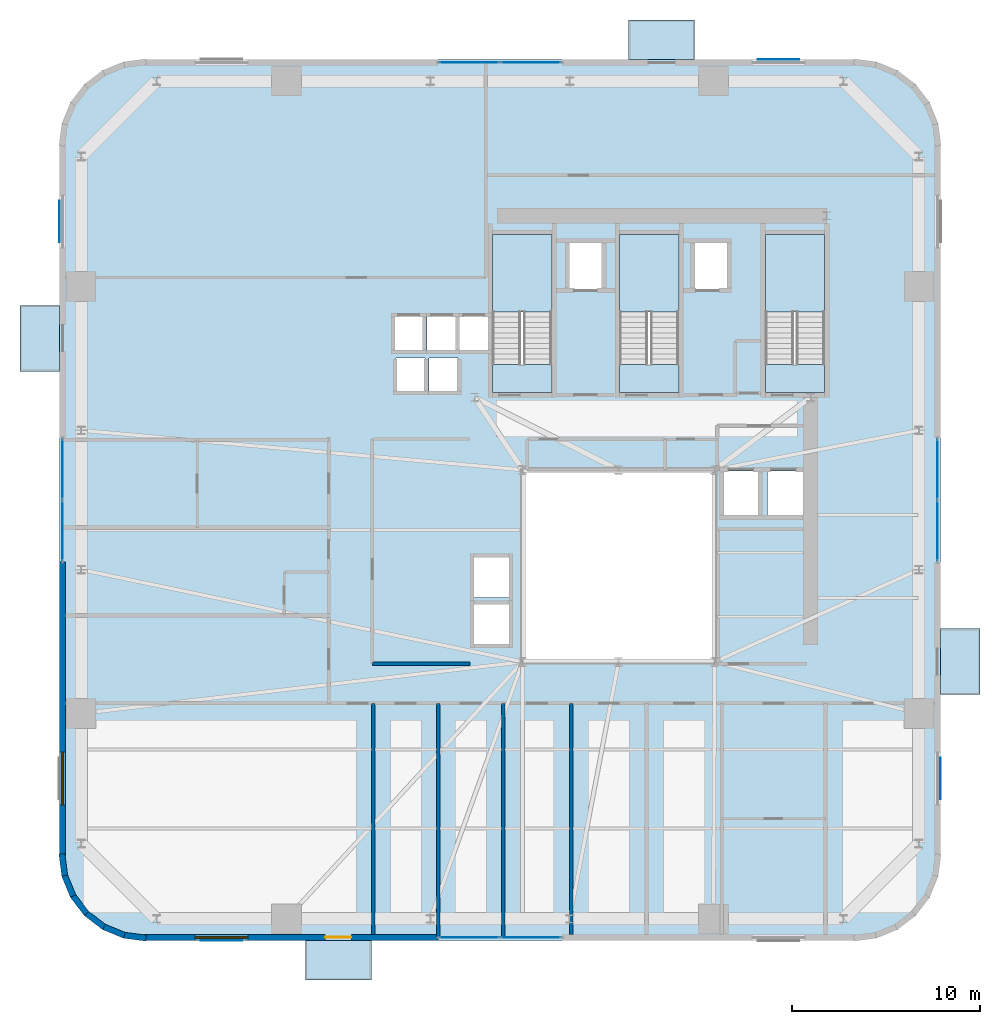
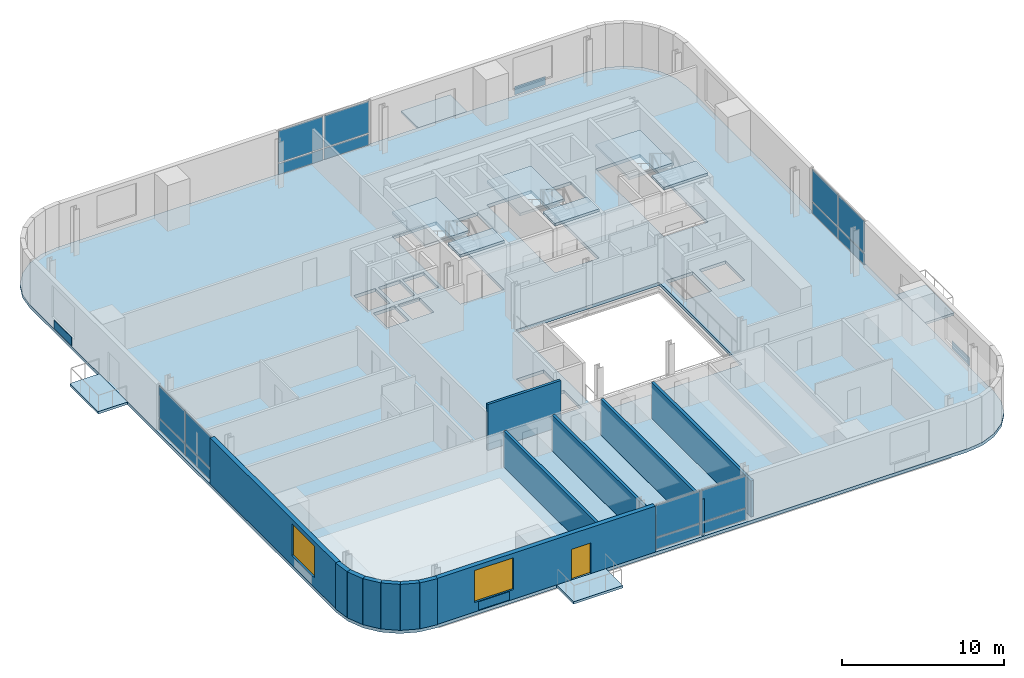
# One storey, part 5 of 14: 20 plates, 13 walls, 11 slabs, 2 windows, 1 door, 3 openings, 7 elements without a shape of their own.
"""IFC4 building model written with IfcOpenShell, lengths in metres."""

from ifc_helpers import new_model, si_unit, direction, frame, frame_2d, origin, origin_2d, place, context, subcontext, project, spatial, polyline, rectangle, outline, extrude, source, transform, mapped, material, layer, layer_set, type_object, element, fill, aggregate, save


model = new_model("IFC4")

# Units and contexts
model_context = context("Model", 3, precision=1e-05, world=origin(), true_north=direction((0.0, 1.0)))
body_context = subcontext(model_context, "Body", "Model", "MODEL_VIEW")
ifc_project = project(units=[si_unit("LENGTHUNIT", "METRE"), si_unit("AREAUNIT", "SQUARE_METRE"), si_unit("VOLUMEUNIT", "CUBIC_METRE"), si_unit("PLANEANGLEUNIT", "RADIAN"), si_unit("MASSUNIT", "GRAM", prefix="KILO")], contexts=[model_context])

# Site, building, storey
site_placement = place(None, origin())
site = spatial("IfcSite", under=ifc_project, at=site_placement, CompositionType="ELEMENT")
building_placement = place(site_placement, origin())
building = spatial("IfcBuilding", under=site, at=building_placement, Name="Vardaveli Station Tower", CompositionType="ELEMENT")
storey_placement = place(building_placement, frame((0.0, 0.0, 140.89990234375)))
storey = spatial("IfcBuildingStorey", under=building, at=storey_placement, Name="L36", CompositionType="ELEMENT", Elevation=140.89990234375)

# Stair, slabs
ifc_material_1 = material(Name="Concrete C40/50", Category="concrete")
stair_type = type_object("IfcStairType", Name="STR-CORE-1500", PredefinedType="HALF_TURN_STAIR", material=ifc_material_1)
stair_1_placement = place(storey_placement, origin())
stair_1 = element("IfcStair", 1, at=stair_1_placement, inside=storey, type_object=stair_type, Name="L36 ST-1", PredefinedType="HALF_TURN_STAIR")
ifc_layer_1 = layer(ifc_material_1, 0.199951171875, Name="Concrete C40/50")
ifc_layer_set_1 = layer_set([ifc_layer_1], Name="Concrete C40/50")
slab_type_1 = type_object("IfcSlabType", Name="SLB-LAND-200", PredefinedType="LANDING", material=ifc_layer_set_1)
slab_1_placement = place(storey_placement, frame((0.0, 0.0, 1.650146484375)))
slab_1 = element("IfcSlab", 2, at=slab_1_placement, type_object=slab_type_1, Name="ST-1 landing 1", PredefinedType="LANDING", context=body_context, shape_type="SweptSolid", body=[
    extrude(outline(polyline([(32.75, 35.199951171875), (32.75, 39.300048828125), (29.60009765625, 39.300048828125), (29.60009765625, 35.199951171875), (32.75, 35.199951171875)])), origin(), (0.0, 0.0, 1.0), 0.199951171875),
])
slab_2_placement = place(storey_placement, frame((0.0, 0.0, 3.5)))
slab_2 = element("IfcSlab", 3, at=slab_2_placement, type_object=slab_type_1, Name="ST-1 landing 2", PredefinedType="LANDING", context=body_context, shape_type="SweptSolid", body=[
    extrude(outline(polyline([(32.75, 30.89990234375), (32.75, 32.39990234375), (29.60009765625, 32.39990234375), (29.60009765625, 30.89990234375), (32.75, 30.89990234375)])), origin(), (0.0, 0.0, 1.0), 0.2001953125),
])
aggregate(stair_1, [slab_1, slab_2])

stair_2_placement = place(storey_placement, origin())
stair_2 = element("IfcStair", 4, at=stair_2_placement, inside=storey, type_object=stair_type, Name="L36 ST-2", PredefinedType="HALF_TURN_STAIR")
slab_3_placement = place(storey_placement, frame((0.0, 0.0, 1.650146484375)))
slab_3 = element("IfcSlab", 5, at=slab_3_placement, type_object=slab_type_1, Name="ST-2 landing 1", PredefinedType="LANDING", context=body_context, shape_type="SweptSolid", body=[
    extrude(outline(polyline([(39.5, 35.199951171875), (39.5, 39.300048828125), (36.35009765625, 39.300048828125), (36.35009765625, 35.199951171875), (39.5, 35.199951171875)])), origin(), (0.0, 0.0, 1.0), 0.199951171875),
])
slab_4_placement = place(storey_placement, frame((0.0, 0.0, 3.5)))
slab_4 = element("IfcSlab", 6, at=slab_4_placement, type_object=slab_type_1, Name="ST-2 landing 2", PredefinedType="LANDING", context=body_context, shape_type="SweptSolid", body=[
    extrude(outline(polyline([(39.5, 30.89990234375), (39.5, 32.39990234375), (36.35009765625, 32.39990234375), (36.35009765625, 30.89990234375), (39.5, 30.89990234375)])), origin(), (0.0, 0.0, 1.0), 0.2001953125),
])
aggregate(stair_2, [slab_3, slab_4])

stair_3_placement = place(storey_placement, origin())
stair_3 = element("IfcStair", 7, at=stair_3_placement, inside=storey, type_object=stair_type, Name="L36 ST-3", PredefinedType="HALF_TURN_STAIR")
slab_5_placement = place(storey_placement, frame((0.0, 0.0, 1.650146484375)))
slab_5 = element("IfcSlab", 8, at=slab_5_placement, type_object=slab_type_1, Name="ST-3 landing 1", PredefinedType="LANDING", context=body_context, shape_type="SweptSolid", body=[
    extrude(outline(polyline([(47.25, 35.199951171875), (47.25, 39.300048828125), (44.10009765625, 39.300048828125), (44.10009765625, 35.199951171875), (47.25, 35.199951171875)])), origin(), (0.0, 0.0, 1.0), 0.199951171875),
])
slab_6_placement = place(storey_placement, frame((0.0, 0.0, 3.5)))
slab_6 = element("IfcSlab", 9, at=slab_6_placement, type_object=slab_type_1, Name="ST-3 landing 2", PredefinedType="LANDING", context=body_context, shape_type="SweptSolid", body=[
    extrude(outline(polyline([(47.25, 30.89990234375), (47.25, 32.39990234375), (44.10009765625, 32.39990234375), (44.10009765625, 30.89990234375), (47.25, 30.89990234375)])), origin(), (0.0, 0.0, 1.0), 0.2001953125),
])
aggregate(stair_3, [slab_5, slab_6])

# Slabs
ifc_material_2 = material(Name="Precast concrete C45/55", Category="concrete")
ifc_layer_2 = layer(ifc_material_2, 0.179931640625, Name="Precast concrete C45/55")
ifc_layer_set_2 = layer_set([ifc_layer_2], Name="Precast concrete C45/55")
slab_type_2 = type_object("IfcSlabType", Name="SLB-LOGGIA-180", PredefinedType="FLOOR", material=ifc_layer_set_2)
slab_7_placement = place(storey_placement, frame((0.0, 0.0, -0.179931640625)))
element("IfcSlab", 10, at=slab_7_placement, inside=storey, type_object=slab_type_2, Name="LOG-L36-S", PredefinedType="FLOOR", context=body_context, shape_type="SweptSolid", body=[
    extrude(outline(polyline([(19.660400390625, -0.300048828125), (23.160400390625, -0.300048828125), (23.160400390625, 1.800048828125), (19.660400390625, 1.800048828125), (19.660400390625, -0.300048828125)])), origin(), (0.0, 0.0, 1.0), 0.179931640625),
])
slab_8_placement = place(storey_placement, frame((0.0, 0.0, -0.179931640625)))
element("IfcSlab", 11, at=slab_8_placement, inside=storey, type_object=slab_type_2, Name="LOG-L36-N", PredefinedType="FLOOR", context=body_context, shape_type="SweptSolid", body=[
    extrude(outline(polyline([(36.839599609375, 48.60009765625), (40.339599609375, 48.60009765625), (40.339599609375, 50.699951171875), (36.839599609375, 50.699951171875), (36.839599609375, 48.60009765625)])), origin(), (0.0, 0.0, 1.0), 0.179931640625),
])
slab_9_placement = place(storey_placement, frame((0.0, 0.0, -0.179931640625)))
element("IfcSlab", 12, at=slab_9_placement, inside=storey, type_object=slab_type_2, Name="LOG-L36-W", PredefinedType="FLOOR", context=body_context, shape_type="SweptSolid", body=[
    extrude(outline(polyline([(4.5, 32.03955078125), (6.60009765625, 32.03955078125), (6.60009765625, 35.53955078125), (4.5, 35.53955078125), (4.5, 32.03955078125)])), origin(), (0.0, 0.0, 1.0), 0.179931640625),
])
slab_10_placement = place(storey_placement, frame((0.0, 0.0, -0.179931640625)))
element("IfcSlab", 13, at=slab_10_placement, inside=storey, type_object=slab_type_2, Name="LOG-L36-E", PredefinedType="FLOOR", context=body_context, shape_type="SweptSolid", body=[
    extrude(outline(polyline([(53.39990234375, 14.8603515625), (55.5, 14.8603515625), (55.5, 18.3603515625), (53.39990234375, 18.3603515625), (53.39990234375, 14.8603515625)])), origin(), (0.0, 0.0, 1.0), 0.179931640625),
])
ifc_layer_3 = layer(ifc_material_1, 0.239990234375, Name="Concrete C40/50")
ifc_layer_set_3 = layer_set([ifc_layer_3], Name="Concrete C40/50")
slab_type_3 = type_object("IfcSlabType", Name="SLB-TOW-240", PredefinedType="FLOOR", material=ifc_layer_set_3)
slab_11_placement = place(storey_placement, frame((0.0, 0.0, -0.239990234375)))
element("IfcSlab", 14, at=slab_11_placement, inside=storey, type_object=slab_type_3, Name="SLB-L36-MAIN", PredefinedType="FLOOR", context=body_context, shape_type="SweptSolid", body=[
    extrude(outline(polyline([(6.60009765625, 6.300048828125), (6.75341796875, 5.13525390625), (7.202880859375, 4.050048828125), (7.91796875, 3.117919921875), (8.85009765625, 2.40283203125), (9.935302734375, 1.953369140625), (11.10009765625, 1.800048828125), (48.89990234375, 1.800048828125), (50.064697265625, 1.953369140625), (51.14990234375, 2.40283203125), (52.08203125, 3.117919921875), (52.797119140625, 4.050048828125), (53.24658203125, 5.13525390625), (53.39990234375, 6.300048828125), (53.39990234375, 44.10009765625), (53.24658203125, 45.2646484375), (52.797119140625, 46.35009765625), (52.08203125, 47.281982421875), (51.14990234375, 47.9970703125), (50.064697265625, 48.44677734375), (48.89990234375, 48.60009765625), (11.10009765625, 48.60009765625), (9.935302734375, 48.44677734375), (8.85009765625, 47.9970703125), (7.91796875, 47.281982421875), (7.202880859375, 46.35009765625), (6.75341796875, 45.2646484375), (6.60009765625, 44.10009765625), (6.60009765625, 6.300048828125)]), holes=[polyline([(31.199951171875, 16.60009765625), (41.39990234375, 16.60009765625), (41.39990234375, 26.800048828125), (31.199951171875, 26.800048828125), (31.199951171875, 16.60009765625)]), polyline([(32.75, 30.89990234375), (32.75, 39.300048828125), (29.60009765625, 39.300048828125), (29.60009765625, 30.89990234375), (32.75, 30.89990234375)]), polyline([(39.5, 30.89990234375), (39.5, 39.300048828125), (36.35009765625, 39.300048828125), (36.35009765625, 30.89990234375), (39.5, 30.89990234375)]), polyline([(47.25, 30.89990234375), (47.25, 39.300048828125), (44.10009765625, 39.300048828125), (44.10009765625, 30.89990234375), (47.25, 30.89990234375)]), polyline([(24.385009765625, 33.135009765625), (25.9150390625, 33.135009765625), (25.9150390625, 34.965087890625), (24.385009765625, 34.965087890625), (24.385009765625, 33.135009765625)]), polyline([(26.135009765625, 33.135009765625), (27.6650390625, 33.135009765625), (27.6650390625, 34.965087890625), (26.135009765625, 34.965087890625), (26.135009765625, 33.135009765625)]), polyline([(27.8349609375, 33.135009765625), (29.364990234375, 33.135009765625), (29.364990234375, 34.965087890625), (27.8349609375, 34.965087890625), (27.8349609375, 33.135009765625)]), polyline([(33.659912109375, 36.409912109375), (35.43994140625, 36.409912109375), (35.43994140625, 38.889892578125), (33.659912109375, 38.889892578125), (33.659912109375, 36.409912109375)]), polyline([(40.31005859375, 36.409912109375), (42.090087890625, 36.409912109375), (42.090087890625, 38.889892578125), (40.31005859375, 38.889892578125), (40.31005859375, 36.409912109375)]), polyline([(24.485107421875, 30.9599609375), (26.014892578125, 30.9599609375), (26.014892578125, 32.739990234375), (24.485107421875, 32.739990234375), (24.485107421875, 30.9599609375)]), polyline([(26.235107421875, 30.9599609375), (27.764892578125, 30.9599609375), (27.764892578125, 32.739990234375), (26.235107421875, 32.739990234375), (26.235107421875, 30.9599609375)]), polyline([(28.5849609375, 17.510009765625), (30.514892578125, 17.510009765625), (30.514892578125, 19.68994140625), (28.5849609375, 19.68994140625), (28.5849609375, 17.510009765625)]), polyline([(28.5849609375, 20.010009765625), (30.514892578125, 20.010009765625), (30.514892578125, 22.18994140625), (28.5849609375, 22.18994140625), (28.5849609375, 20.010009765625)]), polyline([(41.860107421875, 24.360107421875), (43.739990234375, 24.360107421875), (43.739990234375, 26.739990234375), (41.860107421875, 26.739990234375), (41.860107421875, 24.360107421875)]), polyline([(44.2099609375, 24.360107421875), (46.090087890625, 24.360107421875), (46.090087890625, 26.739990234375), (44.2099609375, 26.739990234375), (44.2099609375, 24.360107421875)])]), origin(), (0.0, 0.0, 1.0), 0.239990234375),
])

# Curtain wall, plates
ifc_material_3 = material(Name="Travertine stone and solar-control glass", Category="masonry")
curtain_wall_type = type_object("IfcCurtainWallType", Name="CW-SYS-2", PredefinedType="NOTDEFINED", material=ifc_material_3)
curtain_wall_1_placement = place(storey_placement, origin())
curtain_wall_1 = element("IfcCurtainWall", 15, at=curtain_wall_1_placement, inside=storey, type_object=curtain_wall_type, Name="CW-L36-S", PredefinedType="NOTDEFINED")
ifc_material_4 = material(Name="Double-glazed low-E solar-control glass", Category="glass")
ifc_layer_4 = layer(ifc_material_4, 0.035888671875, Name="Double-glazed low-E solar-control glass")
ifc_layer_set_4 = layer_set([ifc_layer_4], Name="Double-glazed low-E solar-control glass")
plate_type_1 = type_object("IfcPlateType", Name="CW-SYS-2-PAN", PredefinedType="CURTAIN_PANEL", material=ifc_layer_set_4)
shared_shape_1 = source(origin(), body_context, "Body", "SweptSolid", [
    extrude(rectangle(XDim=3.172607421875, YDim=0.035888671875, at=origin_2d()), origin(), (0.0, 0.0, 1.0), 0.822509765625),
])
plate_1_placement = place(storey_placement, frame((28.371337890625, 1.9599609375, 0.0849609375), z_axis=(0.0, 0.0, 1.0), x_axis=(1.0, 0.0, 0.0)))
plate_1 = element("IfcPlate", 16, at=plate_1_placement, type_object=plate_type_1, Name="CW-2 panel 1.1", PredefinedType="CURTAIN_PANEL", context=body_context, shape_type="MappedRepresentation", body=[
    mapped(shared_shape_1, transform((0.0, 0.0, 0.0), scale=1.0)),
])
plate_2_placement = place(storey_placement, frame((31.628662109375, 1.9599609375, 0.0849609375), z_axis=(0.0, 0.0, 1.0), x_axis=(1.0, 0.0, 0.0)))
plate_2 = element("IfcPlate", 17, at=plate_2_placement, type_object=plate_type_1, Name="CW-2 panel 2.1", PredefinedType="CURTAIN_PANEL", context=body_context, shape_type="MappedRepresentation", body=[
    mapped(shared_shape_1, transform((0.0, 0.0, 0.0), scale=1.0)),
])

curtain_wall_2_placement = place(storey_placement, origin())
curtain_wall_2 = element("IfcCurtainWall", 18, at=curtain_wall_2_placement, inside=storey, type_object=curtain_wall_type, Name="CW-L36-N", PredefinedType="NOTDEFINED")
plate_3_placement = place(storey_placement, frame((31.628662109375, 48.43994140625, 0.0849609375), z_axis=(0.0, 0.0, 1.0), x_axis=(-1.0, 0.0, 0.0)))
plate_3 = element("IfcPlate", 19, at=plate_3_placement, type_object=plate_type_1, Name="CW-2 panel 1.1", PredefinedType="CURTAIN_PANEL", context=body_context, shape_type="MappedRepresentation", body=[
    mapped(shared_shape_1, transform((0.0, 0.0, 0.0), scale=1.0)),
])
plate_4_placement = place(storey_placement, frame((28.371337890625, 48.43994140625, 0.0849609375), z_axis=(0.0, 0.0, 1.0), x_axis=(-1.0, 0.0, 0.0)))
plate_4 = element("IfcPlate", 20, at=plate_4_placement, type_object=plate_type_1, Name="CW-2 panel 2.1", PredefinedType="CURTAIN_PANEL", context=body_context, shape_type="MappedRepresentation", body=[
    mapped(shared_shape_1, transform((0.0, 0.0, 0.0), scale=1.0)),
])

curtain_wall_3_placement = place(storey_placement, origin())
curtain_wall_3 = element("IfcCurtainWall", 21, at=curtain_wall_3_placement, inside=storey, type_object=curtain_wall_type, Name="CW-L36-W", PredefinedType="NOTDEFINED")
plate_5_placement = place(storey_placement, frame((6.760009765625, 26.828857421875, 0.0849609375), z_axis=(0.0, 0.0, 1.0), x_axis=(0.0, -1.0, 0.0)))
plate_5 = element("IfcPlate", 22, at=plate_5_placement, type_object=plate_type_1, Name="CW-2 panel 1.1", PredefinedType="CURTAIN_PANEL", context=body_context, shape_type="MappedRepresentation", body=[
    mapped(shared_shape_1, transform((0.0, 0.0, 0.0), scale=1.0)),
])
plate_6_placement = place(storey_placement, frame((6.760009765625, 23.5712890625, 0.0849609375), z_axis=(0.0, 0.0, 1.0), x_axis=(0.0, -1.0, 0.0)))
plate_6 = element("IfcPlate", 23, at=plate_6_placement, type_object=plate_type_1, Name="CW-2 panel 2.1", PredefinedType="CURTAIN_PANEL", context=body_context, shape_type="MappedRepresentation", body=[
    mapped(shared_shape_1, transform((0.0, 0.0, 0.0), scale=1.0)),
])

curtain_wall_4_placement = place(storey_placement, origin())
curtain_wall_4 = element("IfcCurtainWall", 24, at=curtain_wall_4_placement, inside=storey, type_object=curtain_wall_type, Name="CW-L36-E", PredefinedType="NOTDEFINED")
plate_7_placement = place(storey_placement, frame((53.239990234375, 23.5712890625, 0.0849609375), z_axis=(0.0, 0.0, 1.0), x_axis=(0.0, 1.0, 0.0)))
plate_7 = element("IfcPlate", 25, at=plate_7_placement, type_object=plate_type_1, Name="CW-2 panel 1.1", PredefinedType="CURTAIN_PANEL", context=body_context, shape_type="MappedRepresentation", body=[
    mapped(shared_shape_1, transform((0.0, 0.0, 0.0), scale=1.0)),
])
plate_8_placement = place(storey_placement, frame((53.239990234375, 26.828857421875, 0.0849609375), z_axis=(0.0, 0.0, 1.0), x_axis=(0.0, 1.0, 0.0)))
plate_8 = element("IfcPlate", 26, at=plate_8_placement, type_object=plate_type_1, Name="CW-2 panel 2.1", PredefinedType="CURTAIN_PANEL", context=body_context, shape_type="MappedRepresentation", body=[
    mapped(shared_shape_1, transform((0.0, 0.0, 0.0), scale=1.0)),
])

# Plates
ifc_material_5 = material(Name="Honed Caucasian travertine stone", Category="masonry")
ifc_layer_5 = layer(ifc_material_5, 0.034912109375, Name="Honed Caucasian travertine stone")
ifc_layer_set_5 = layer_set([ifc_layer_5], Name="Honed Caucasian travertine stone")
plate_type_2 = type_object("IfcPlateType", Name="PLT-TRAV-35", PredefinedType="SHEET", material=ifc_layer_set_5)
shared_shape_2 = source(origin(), body_context, "Body", "SweptSolid", [
    extrude(rectangle(XDim=2.199951171875, YDim=0.034912109375, at=origin_2d()), origin(), (0.0, 0.0, 1.0), 0.6201171875),
])
for number, where, z_axis, x_axis, name in (
    (27, (15.205078125, 1.79052734375, 0.070068359375), (0.0, 0.0, 1.0), (1.0, 0.0, 0.0), "PLT-TR-L36-S"),
    (28, (44.794921875, 48.609619140625, 0.070068359375), (0.0, 0.0, 1.0), (1.0, 0.0, 0.0), "PLT-TR-L36-N"),
    (29, (6.590576171875, 39.9951171875, 0.070068359375), (0.0, 0.0, 1.0), (0.0, 1.0, 0.0), "PLT-TR-L36-W"),
    (30, (53.409423828125, 10.405029296875, 0.070068359375), (0.0, 0.0, 1.0), (0.0, 1.0, 0.0), "PLT-TR-L36-E"),
):
    element("IfcPlate", number, at=place(storey_placement, frame(where, z_axis=z_axis, x_axis=x_axis)), inside=storey, type_object=plate_type_2, Name=name, PredefinedType="SHEET", context=body_context, shape_type="MappedRepresentation", body=[
        mapped(shared_shape_2, transform((0.0, 0.0, 0.0), scale=1.0)),
    ])

# Plate
shared_shape_3 = source(origin(), body_context, "Body", "SweptSolid", [
    extrude(rectangle(XDim=3.172607421875, YDim=0.035888671875, at=origin_2d()), origin(), (0.0, 0.0, 1.0), 2.382568359375),
])
plate_9_placement = place(storey_placement, frame((28.371337890625, 1.9599609375, 0.99267578125), z_axis=(0.0, 0.0, 1.0), x_axis=(1.0, 0.0, 0.0)))
plate_9 = element("IfcPlate", 31, at=plate_9_placement, type_object=plate_type_1, Name="CW-2 panel 1.2", PredefinedType="CURTAIN_PANEL", context=body_context, shape_type="MappedRepresentation", body=[
    mapped(shared_shape_3, transform((0.0, 0.0, 0.0), scale=1.0)),
])

plate_10_placement = place(storey_placement, frame((31.628662109375, 1.9599609375, 0.99267578125), z_axis=(0.0, 0.0, 1.0), x_axis=(1.0, 0.0, 0.0)))
plate_10 = element("IfcPlate", 32, at=plate_10_placement, type_object=plate_type_1, Name="CW-2 panel 2.2", PredefinedType="CURTAIN_PANEL", context=body_context, shape_type="MappedRepresentation", body=[
    mapped(shared_shape_3, transform((0.0, 0.0, 0.0), scale=1.0)),
])

aggregate(curtain_wall_1, [plate_1, plate_9, plate_2, plate_10])

plate_11_placement = place(storey_placement, frame((31.628662109375, 48.43994140625, 0.99267578125), z_axis=(0.0, 0.0, 1.0), x_axis=(-1.0, 0.0, 0.0)))
plate_11 = element("IfcPlate", 33, at=plate_11_placement, type_object=plate_type_1, Name="CW-2 panel 1.2", PredefinedType="CURTAIN_PANEL", context=body_context, shape_type="MappedRepresentation", body=[
    mapped(shared_shape_3, transform((0.0, 0.0, 0.0), scale=1.0)),
])

plate_12_placement = place(storey_placement, frame((28.371337890625, 48.43994140625, 0.99267578125), z_axis=(0.0, 0.0, 1.0), x_axis=(-1.0, 0.0, 0.0)))
plate_12 = element("IfcPlate", 34, at=plate_12_placement, type_object=plate_type_1, Name="CW-2 panel 2.2", PredefinedType="CURTAIN_PANEL", context=body_context, shape_type="MappedRepresentation", body=[
    mapped(shared_shape_3, transform((0.0, 0.0, 0.0), scale=1.0)),
])

aggregate(curtain_wall_2, [plate_3, plate_11, plate_4, plate_12])

plate_13_placement = place(storey_placement, frame((6.760009765625, 26.828857421875, 0.99267578125), z_axis=(0.0, 0.0, 1.0), x_axis=(0.0, -1.0, 0.0)))
plate_13 = element("IfcPlate", 35, at=plate_13_placement, type_object=plate_type_1, Name="CW-2 panel 1.2", PredefinedType="CURTAIN_PANEL", context=body_context, shape_type="MappedRepresentation", body=[
    mapped(shared_shape_3, transform((0.0, 0.0, 0.0), scale=1.0)),
])

plate_14_placement = place(storey_placement, frame((6.760009765625, 23.5712890625, 0.99267578125), z_axis=(0.0, 0.0, 1.0), x_axis=(0.0, -1.0, 0.0)))
plate_14 = element("IfcPlate", 36, at=plate_14_placement, type_object=plate_type_1, Name="CW-2 panel 2.2", PredefinedType="CURTAIN_PANEL", context=body_context, shape_type="MappedRepresentation", body=[
    mapped(shared_shape_3, transform((0.0, 0.0, 0.0), scale=1.0)),
])

aggregate(curtain_wall_3, [plate_5, plate_13, plate_6, plate_14])

plate_15_placement = place(storey_placement, frame((53.239990234375, 23.5712890625, 0.99267578125), z_axis=(0.0, 0.0, 1.0), x_axis=(0.0, 1.0, 0.0)))
plate_15 = element("IfcPlate", 37, at=plate_15_placement, type_object=plate_type_1, Name="CW-2 panel 1.2", PredefinedType="CURTAIN_PANEL", context=body_context, shape_type="MappedRepresentation", body=[
    mapped(shared_shape_3, transform((0.0, 0.0, 0.0), scale=1.0)),
])

plate_16_placement = place(storey_placement, frame((53.239990234375, 26.828857421875, 0.99267578125), z_axis=(0.0, 0.0, 1.0), x_axis=(0.0, 1.0, 0.0)))
plate_16 = element("IfcPlate", 38, at=plate_16_placement, type_object=plate_type_1, Name="CW-2 panel 2.2", PredefinedType="CURTAIN_PANEL", context=body_context, shape_type="MappedRepresentation", body=[
    mapped(shared_shape_3, transform((0.0, 0.0, 0.0), scale=1.0)),
])

aggregate(curtain_wall_4, [plate_7, plate_15, plate_8, plate_16])

# Wall, openings, door, window
ifc_layer_6 = layer(ifc_material_2, 0.320068359375, Name="Precast concrete C45/55")
ifc_layer_set_6 = layer_set([ifc_layer_6], Name="Precast concrete C45/55")
wall_type_1 = type_object("IfcWallType", Name="WAL-EXT-STONE-320", PredefinedType="SOLIDWALL", material=ifc_layer_set_6)
shared_shape_4 = source(origin(), body_context, "Body", "SweptSolid", [
    extrude(rectangle(XDim=15.599853515625, YDim=0.320068359375, at=frame_2d((7.7998046875, 0.0))), origin(), (0.0, 0.0, 1.0), 3.460205078125),
])
wall_1_placement = place(storey_placement, frame((11.10009765625, 1.9599609375, 0.0), z_axis=(0.0, 0.0, 1.0), x_axis=(1.0, 0.0, 0.0)))
wall_1 = element("IfcWall", 39, at=wall_1_placement, inside=storey, type_object=wall_type_1, Name="EW-L36-S1", PredefinedType="SOLIDWALL", context=body_context, shape_type="MappedRepresentation", body=[
    mapped(shared_shape_4, transform((0.0, 0.0, 0.0), scale=1.0)),
])
shared_shape_5 = source(origin(), body_context, "Body", "SweptSolid", [
    extrude(rectangle(XDim=1.39990234375, YDim=2.300048828125, at=frame_2d((0.699951171875, 1.14990234375))), frame((0.0, 0.169921875, 0.0), z_axis=(0.0, -1.0, 0.0), x_axis=(1.0, 0.0, 0.0)), (0.0, 0.0, 1.0), 0.340087890625),
])
opening_1_placement = place(wall_1_placement, frame((9.6103515625, 0.0, 0.0)))
opening_1 = element("IfcOpeningElement", 40, at=opening_1_placement, cuts=wall_1, Name="Opening D-09", PredefinedType="OPENING", context=body_context, shape_type="MappedRepresentation", body=[
    mapped(shared_shape_5, transform((0.0, 0.0, 0.0), scale=1.0)),
])
shared_shape_6 = source(origin(), body_context, "Body", "SweptSolid", [
    extrude(rectangle(XDim=2.800048828125, YDim=2.39990234375, at=frame_2d((1.39990234375, 1.199951171875))), frame((0.0, 0.169921875, 0.0), z_axis=(0.0, -1.0, 0.0), x_axis=(1.0, 0.0, 0.0)), (0.0, 0.0, 1.0), 0.340087890625),
])
opening_2_placement = place(wall_1_placement, frame((2.705078125, 0.0, 0.719970703125)))
opening_2 = element("IfcOpeningElement", 41, at=opening_2_placement, cuts=wall_1, Name="Opening W-04", PredefinedType="OPENING", context=body_context, shape_type="MappedRepresentation", body=[
    mapped(shared_shape_6, transform((0.0, 0.0, 0.0), scale=1.0)),
])
ifc_material_6 = material(Name="Thermally broken aluminium glass", Category="aluminium")
door_type = type_object("IfcDoorType", Name="DR-LOG-1400x2300", OperationType="DOUBLE_DOOR_SLIDING", PredefinedType="DOOR", material=ifc_material_6)
shared_shape_7 = source(origin(), body_context, "Body", "SweptSolid", [
    extrude(rectangle(XDim=1.39990234375, YDim=2.300048828125, at=frame_2d((0.699951171875, 1.14990234375))), frame((0.0, 0.02490234375, 0.0), z_axis=(0.0, -1.0, 0.0), x_axis=(1.0, 0.0, 0.0)), (0.0, 0.0, 1.0), 0.050048828125),
])
door_placement = place(opening_1_placement, frame((1.39990234375, 0.0, 0.0), z_axis=(0.0, 0.0, 1.0), x_axis=(-1.0, 0.0, 0.0)))
door = element("IfcDoor", 42, at=door_placement, inside=storey, type_object=door_type, Name="DLG-L36-S", OperationType="DOUBLE_DOOR_SLIDING", OverallHeight=2.300048828125, OverallWidth=1.39990234375, PredefinedType="DOOR", context=body_context, shape_type="MappedRepresentation", body=[
    mapped(shared_shape_7, transform((0.0, 0.0, 0.0), scale=1.0)),
])
fill(opening_1, door)
ifc_material_7 = material(Name="Low-E solar-control glass", Category="glass")
window_type = type_object("IfcWindowType", Name="WIN-SUITE-2800x2400", PartitioningType="SINGLE_PANEL", PredefinedType="WINDOW", material=ifc_material_7)
shared_shape_8 = source(origin(), body_context, "Body", "SweptSolid", [
    extrude(rectangle(XDim=2.800048828125, YDim=2.39990234375, at=frame_2d((1.39990234375, 1.199951171875))), frame((0.0, 0.030029296875, 0.0), z_axis=(0.0, -1.0, 0.0), x_axis=(1.0, 0.0, 0.0)), (0.0, 0.0, 1.0), 0.06005859375),
])
window_1_placement = place(opening_2_placement, origin())
window_1 = element("IfcWindow", 43, at=window_1_placement, inside=storey, type_object=window_type, Name="WN-L36-S1", OverallHeight=2.39990234375, OverallWidth=2.800048828125, PartitioningType="SINGLE_PANEL", PredefinedType="WINDOW", context=body_context, shape_type="MappedRepresentation", body=[
    mapped(shared_shape_8, transform((0.0, 0.0, 0.0), scale=1.0)),
])
fill(opening_2, window_1)

# Wall, opening, window
wall_2_placement = place(storey_placement, frame((6.760009765625, 21.89990234375, 0.0), z_axis=(0.0, 0.0, 1.0), x_axis=(0.0, -1.0, 0.0)))
wall_2 = element("IfcWall", 44, at=wall_2_placement, inside=storey, type_object=wall_type_1, Name="EW-L36-W2", PredefinedType="SOLIDWALL", context=body_context, shape_type="MappedRepresentation", body=[
    mapped(shared_shape_4, transform((0.0, 0.0, 0.0), scale=1.0)),
])
opening_3_placement = place(wall_2_placement, frame((10.094970703125, 0.0, 0.719970703125)))
opening_3 = element("IfcOpeningElement", 45, at=opening_3_placement, cuts=wall_2, Name="Opening W-04", PredefinedType="OPENING", context=body_context, shape_type="MappedRepresentation", body=[
    mapped(shared_shape_6, transform((0.0, 0.0, 0.0), scale=1.0)),
])
window_2_placement = place(opening_3_placement, origin())
window_2 = element("IfcWindow", 46, at=window_2_placement, inside=storey, type_object=window_type, Name="WN-L36-W2", OverallHeight=2.39990234375, OverallWidth=2.800048828125, PartitioningType="SINGLE_PANEL", PredefinedType="WINDOW", context=body_context, shape_type="MappedRepresentation", body=[
    mapped(shared_shape_8, transform((0.0, 0.0, 0.0), scale=1.0)),
])
fill(opening_3, window_2)

# Walls
shared_shape_9 = source(origin(), body_context, "Body", "SweptSolid", [
    extrude(rectangle(XDim=1.170654296875, YDim=0.320068359375, at=frame_2d((0.58544921875, 0.0))), origin(), (0.0, 0.0, 1.0), 3.460205078125),
])
wall_3_placement = place(storey_placement, frame((6.724365234375, 6.400634765625, 0.0), z_axis=(0.0, 0.0, 1.0), x_axis=(0.128269133229, -0.991739395941, 0.0)))
element("IfcWall", 47, at=wall_3_placement, inside=storey, type_object=wall_type_1, Name="EW-L36-CR1-1", PredefinedType="SOLIDWALL", context=body_context, shape_type="MappedRepresentation", body=[
    mapped(shared_shape_9, transform((0.0, 0.0, 0.0), scale=1.0)),
])
shared_shape_10 = source(origin(), body_context, "Body", "SweptSolid", [
    extrude(rectangle(XDim=1.1689453125, YDim=0.320068359375, at=frame_2d((0.58447265625, 0.0))), origin(), (0.0, 0.0, 1.0), 3.460205078125),
])
for number, where, z_axis, x_axis, name in (
    (48, (6.87451171875, 5.23974609375, 0.0), (0.0, 0.0, 1.0), (0.381127904695, -0.924522320046, 0.0), "EW-L36-CR1-2"),
    (49, (7.320068359375, 4.158935546875, 0.0), (0.0, 0.0, 1.0), (0.608387696831, -0.793639975269, 0.0), "EW-L36-CR1-3"),
):
    element("IfcWall", number, at=place(storey_placement, frame(where, z_axis=z_axis, x_axis=x_axis)), inside=storey, type_object=wall_type_1, Name=name, PredefinedType="SOLIDWALL", context=body_context, shape_type="MappedRepresentation", body=[
        mapped(shared_shape_10, transform((0.0, 0.0, 0.0), scale=1.0)),
    ])
shared_shape_11 = source(origin(), body_context, "Body", "SweptSolid", [
    extrude(rectangle(XDim=1.168701171875, YDim=0.320068359375, at=frame_2d((0.58447265625, 0.0))), origin(), (0.0, 0.0, 1.0), 3.460205078125),
])
wall_4_placement = place(storey_placement, frame((8.03125, 3.231201171875, 0.0), z_axis=(0.0, 0.0, 1.0), x_axis=(0.793663520347, -0.608356981114, 0.0)))
element("IfcWall", 50, at=wall_4_placement, inside=storey, type_object=wall_type_1, Name="EW-L36-CR1-4", PredefinedType="SOLIDWALL", context=body_context, shape_type="MappedRepresentation", body=[
    mapped(shared_shape_11, transform((0.0, 0.0, 0.0), scale=1.0)),
])
shared_shape_12 = source(origin(), body_context, "Body", "SweptSolid", [
    extrude(rectangle(XDim=1.16943359375, YDim=0.320068359375, at=frame_2d((0.584716796875, 0.0))), origin(), (0.0, 0.0, 1.0), 3.460205078125),
])
wall_5_placement = place(storey_placement, frame((8.958740234375, 2.520263671875, 0.0), z_axis=(0.0, 0.0, 1.0), x_axis=(0.924479075121, -0.381232789334, 0.0)))
element("IfcWall", 51, at=wall_5_placement, inside=storey, type_object=wall_type_1, Name="EW-L36-CR1-5", PredefinedType="SOLIDWALL", context=body_context, shape_type="MappedRepresentation", body=[
    mapped(shared_shape_12, transform((0.0, 0.0, 0.0), scale=1.0)),
])
shared_shape_13 = source(origin(), body_context, "Body", "SweptSolid", [
    extrude(rectangle(XDim=1.170166015625, YDim=0.320068359375, at=frame_2d((0.5849609375, 0.0))), origin(), (0.0, 0.0, 1.0), 3.460205078125),
])
wall_6_placement = place(storey_placement, frame((10.039794921875, 2.074462890625, 0.0), z_axis=(0.0, 0.0, 1.0), x_axis=(0.991762485493, -0.128090485085, 0.0)))
element("IfcWall", 52, at=wall_6_placement, inside=storey, type_object=wall_type_1, Name="EW-L36-CR1-6", PredefinedType="SOLIDWALL", context=body_context, shape_type="MappedRepresentation", body=[
    mapped(shared_shape_13, transform((0.0, 0.0, 0.0), scale=1.0)),
])
ifc_material_8 = material(Name="Acoustic twin-stud gypsum partition")
ifc_layer_7 = layer(ifc_material_8, 0.199951171875, Name="Acoustic twin-stud gypsum partition")
ifc_layer_set_7 = layer_set([ifc_layer_7], Name="Acoustic twin-stud gypsum partition")
wall_type_2 = type_object("IfcWallType", Name="WAL-PARTY-200", PredefinedType="PARTITIONING", material=ifc_layer_set_7)
shared_shape_14 = source(origin(), body_context, "Body", "SweptSolid", [
    extrude(rectangle(XDim=12.27783203125, YDim=0.199951171875, at=frame_2d((6.138916015625, 0.0))), origin(), (0.0, 0.0, 1.0), 2.7021484375),
])
for number, where, z_axis, x_axis, name in (
    (53, (23.27001953125, 2.1220703125, 0.0), (0.0, 0.0, 1.0), (0.0, 1.0, 0.0), "W-L36-PS1"),
    (54, (33.779052734375, 2.1220703125, 0.0), (0.0, 0.0, 1.0), (0.0, 1.0, 0.0), "W-L36-PS4"),
):
    element("IfcWall", number, at=place(storey_placement, frame(where, z_axis=z_axis, x_axis=x_axis)), inside=storey, type_object=wall_type_2, Name=name, PredefinedType="PARTITIONING", context=body_context, shape_type="MappedRepresentation", body=[
        mapped(shared_shape_14, transform((0.0, 0.0, 0.0), scale=1.0)),
    ])
shared_shape_15 = source(origin(), body_context, "Body", "SweptSolid", [
    extrude(rectangle(XDim=12.469970703125, YDim=0.199951171875, at=frame_2d((6.23486328125, 0.0))), origin(), (0.0, 0.0, 1.0), 2.7021484375),
])
for number, where, z_axis, x_axis, name in (
    (55, (26.719970703125, 1.929931640625, 0.0), (0.0, 0.0, 1.0), (0.0, 1.0, 0.0), "W-L36-PS2"),
    (56, (30.169921875, 1.929931640625, 0.0), (0.0, 0.0, 1.0), (0.0, 1.0, 0.0), "W-L36-PS3"),
):
    element("IfcWall", number, at=place(storey_placement, frame(where, z_axis=z_axis, x_axis=x_axis)), inside=storey, type_object=wall_type_2, Name=name, PredefinedType="PARTITIONING", context=body_context, shape_type="MappedRepresentation", body=[
        mapped(shared_shape_15, transform((0.0, 0.0, 0.0), scale=1.0)),
    ])
ifc_material_9 = material(Name="Fire-rated gypsum stud partition")
ifc_layer_8 = layer(ifc_material_9, 0.179931640625, Name="Fire-rated gypsum stud partition")
ifc_layer_set_8 = layer_set([ifc_layer_8], Name="Fire-rated gypsum stud partition")
wall_type_3 = type_object("IfcWallType", Name="WAL-CORR-180", PredefinedType="PARTITIONING", material=ifc_layer_set_8)
shared_shape_16 = source(origin(), body_context, "Body", "SweptSolid", [
    extrude(rectangle(XDim=5.179931640625, YDim=0.179931640625, at=frame_2d((2.58984375, 0.0))), origin(), (0.0, 0.0, 1.0), 3.460205078125),
])
wall_7_placement = place(storey_placement, frame((23.219970703125, 16.5, 0.0), z_axis=(0.0, 0.0, 1.0), x_axis=(1.0, 0.0, 0.0)))
element("IfcWall", 57, at=wall_7_placement, inside=storey, type_object=wall_type_3, Name="W-L36-ATW-S", PredefinedType="PARTITIONING", context=body_context, shape_type="MappedRepresentation", body=[
    mapped(shared_shape_16, transform((0.0, 0.0, 0.0), scale=1.0)),
])

save(model, "model.ifc")
